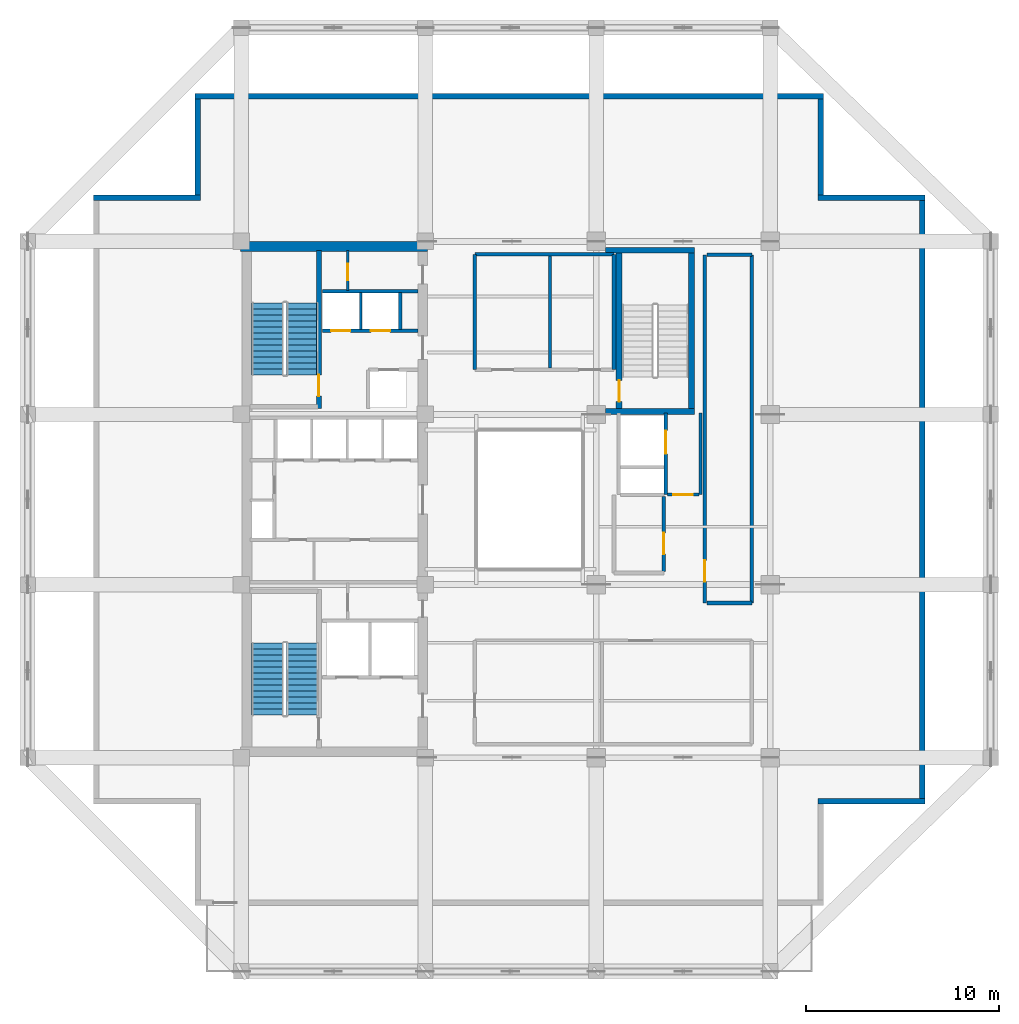
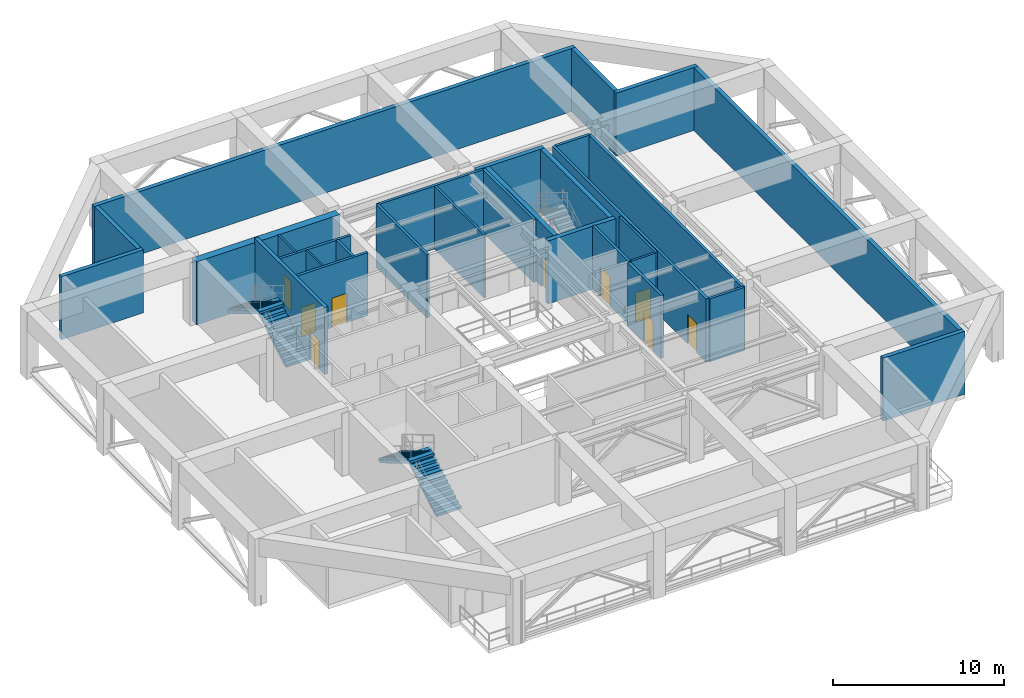
# One storey, part 5 of 10: 30 walls, 9 doors, 4 stair flights, 9 openings, 2 elements without a shape of their own.
"""IFC4 building model written with IfcOpenShell, lengths in metres."""

from ifc_helpers import new_model, si_unit, direction, frame, frame_2d, origin, place, context, subcontext, project, spatial, polyline, rectangle, outline, extrude, material, layer, layer_set, type_object, element, fill, aggregate, save


model = new_model("IFC4")

# Units and contexts
model_context = context("Model", 3, precision=1e-05, world=origin(), true_north=direction((0.0, 1.0)))
body_context = subcontext(model_context, "Body", "Model", "MODEL_VIEW")
ifc_project = project(units=[si_unit("LENGTHUNIT", "METRE"), si_unit("AREAUNIT", "SQUARE_METRE"), si_unit("VOLUMEUNIT", "CUBIC_METRE"), si_unit("PLANEANGLEUNIT", "RADIAN"), si_unit("MASSUNIT", "GRAM", prefix="KILO")], contexts=[model_context])

# Site, building, storey
site_placement = place(None, origin())
site = spatial("IfcSite", under=ifc_project, at=site_placement, CompositionType="ELEMENT")
building_placement = place(site_placement, origin())
building = spatial("IfcBuilding", under=site, at=building_placement, Name="Kundavana Baori Tower", CompositionType="ELEMENT")
storey_placement = place(building_placement, frame((0.0, 0.0, 204.10009765625)))
storey = spatial("IfcBuildingStorey", under=building, at=storey_placement, Name="L50", CompositionType="ELEMENT", Elevation=204.10009765625)

# Wall, opening, door
ifc_material_1 = material(Name="Concrete C50/60", Category="concrete")
ifc_layer_1 = layer(ifc_material_1, 0.39990234375, Name="WL-CORE-400")
ifc_layer_set_1 = layer_set([ifc_layer_1], Name="Concrete C50/60")
wall_type_1 = type_object("IfcWallType", Name="WL-CORE-400", PredefinedType="SHEAR", material=ifc_layer_set_1)
wall_1_placement = place(storey_placement, frame((19.4599609375, 33.300048828125, 0.0), z_axis=(0.0, 0.0, 1.0), x_axis=(0.0, 1.0, 0.0)))
wall_1 = element("IfcWall", 1, at=wall_1_placement, inside=storey, type_object=wall_type_1, Name="WL-L50-ST2-E", PredefinedType="SHEAR", context=body_context, shape_type="SweptSolid", body=[
    extrude(rectangle(XDim=8.179931640625, YDim=0.239990234375, at=frame_2d((4.08984375, 0.0))), origin(), (0.0, 0.0, 1.0), 4.7998046875),
])
opening_1_placement = place(wall_1_placement, frame((0.64990234375, 0.0, 0.0)))
opening_1 = element("IfcOpeningElement", 2, at=opening_1_placement, cuts=wall_1, Name="Opening FD-110", PredefinedType="OPENING", context=body_context, shape_type="SweptSolid", body=[
    extrude(rectangle(XDim=1.10009765625, YDim=2.10009765625, at=frame_2d((0.550048828125, 1.050048828125))), frame((0.0, 0.1298828125, 0.0), z_axis=(0.0, -1.0, 0.0), x_axis=(1.0, 0.0, 0.0)), (0.0, 0.0, 1.0), 0.260009765625),
])
ifc_material_2 = material(Name="Galvanised Steel Fire-Rated Door Leaf", Category="steel")
door_type_1 = type_object("IfcDoorType", Name="DR-FD120-1100", OperationType="NOTDEFINED", PredefinedType="DOOR", material=ifc_material_2)
door_1_placement = place(opening_1_placement, origin())
door_1 = element("IfcDoor", 3, at=door_1_placement, inside=storey, type_object=door_type_1, Name="DR-L50-ST2", OperationType="SINGLE_SWING_RIGHT", OverallHeight=2.10009765625, OverallWidth=1.10009765625, PredefinedType="DOOR", context=body_context, shape_type="SweptSolid", body=[
    extrude(rectangle(XDim=1.10009765625, YDim=2.10009765625, at=frame_2d((0.550048828125, 1.050048828125))), frame((0.0, 0.02490234375, 0.0), z_axis=(0.0, -1.0, 0.0), x_axis=(1.0, 0.0, 0.0)), (0.0, 0.0, 1.0), 0.050048828125),
])
fill(opening_1, door_1)

# Walls
ifc_material_3 = material(Name="Concrete C50/60", Category="concrete")
ifc_layer_2 = layer(ifc_material_3, 0.5, Name="WL-CORE-500")
ifc_layer_set_2 = layer_set([ifc_layer_2], Name="Concrete C50/60")
wall_type_2 = type_object("IfcWallType", Name="WL-CORE-500", PredefinedType="SHEAR", material=ifc_layer_set_2)
wall_2_placement = place(storey_placement, frame((15.39990234375, 41.68994140625, 0.0), z_axis=(0.0, 0.0, 1.0), x_axis=(1.0, 0.0, 0.0)))
element("IfcWall", 4, at=wall_2_placement, inside=storey, type_object=wall_type_2, Name="L50 Offset Core North Shear Wall", PredefinedType="SHEAR", context=body_context, shape_type="SweptSolid", body=[
    extrude(rectangle(XDim=9.68017578125, YDim=0.5, at=frame_2d((4.840087890625, 0.0))), origin(), (0.0, 0.0, 1.0), 4.5),
])
ifc_material_4 = material(Name="Red-Buff Dholpur Sandstone Cladding on Concrete C40/50", Category="masonry")
ifc_layer_3 = layer(ifc_material_4, 0.280029296875, Name="WL-EXT-SAND-280")
ifc_layer_set_3 = layer_set([ifc_layer_3], Name="Red-Buff Dholpur Sandstone Cladding on Concrete C40/50")
wall_type_3 = type_object("IfcWallType", Name="WL-EXT-SAND-280", PredefinedType="STANDARD", material=ifc_layer_set_3)
wall_3_placement = place(storey_placement, frame((45.27001953125, 12.989990234375, 0.0), z_axis=(0.0, 0.0, 1.0), x_axis=(1.0, 0.0, 0.0)))
element("IfcWall", 5, at=wall_3_placement, inside=storey, type_object=wall_type_3, Name="L50 Exterior Insulated Facade Wall 03", PredefinedType="STANDARD", context=body_context, shape_type="SweptSolid", body=[
    extrude(rectangle(XDim=5.530029296875, YDim=0.280029296875, at=frame_2d((2.76513671875, 0.0))), origin(), (0.0, 0.0, 1.0), 4.5),
])
wall_4_placement = place(storey_placement, frame((50.659912109375, 13.1298828125, 0.0), z_axis=(0.0, 0.0, 1.0), x_axis=(0.0, 1.0, 0.0)))
element("IfcWall", 6, at=wall_4_placement, inside=storey, type_object=wall_type_3, Name="L50 Exterior Insulated Facade Wall 04", PredefinedType="STANDARD", context=body_context, shape_type="SweptSolid", body=[
    extrude(rectangle(XDim=30.940185546875, YDim=0.280029296875, at=frame_2d((15.47021484375, 0.0))), origin(), (0.0, 0.0, 1.0), 4.5),
])
wall_5_placement = place(storey_placement, frame((50.800048828125, 44.2099609375, 0.0), z_axis=(0.0, 0.0, 1.0), x_axis=(-1.0, 0.0, 0.0)))
element("IfcWall", 7, at=wall_5_placement, inside=storey, type_object=wall_type_3, Name="L50 Exterior Insulated Facade Wall 05", PredefinedType="STANDARD", context=body_context, shape_type="SweptSolid", body=[
    extrude(rectangle(XDim=5.530029296875, YDim=0.280029296875, at=frame_2d((2.76513671875, 0.0))), origin(), (0.0, 0.0, 1.0), 4.5),
])
wall_6_placement = place(storey_placement, frame((45.409912109375, 44.35009765625, 0.0), z_axis=(0.0, 0.0, 1.0), x_axis=(0.0, 1.0, 0.0)))
element("IfcWall", 8, at=wall_6_placement, inside=storey, type_object=wall_type_3, Name="L50 Exterior Insulated Facade Wall 06", PredefinedType="STANDARD", context=body_context, shape_type="SweptSolid", body=[
    extrude(rectangle(XDim=4.969970703125, YDim=0.280029296875, at=frame_2d((2.48486328125, 0.0))), origin(), (0.0, 0.0, 1.0), 4.5),
])
wall_7_placement = place(storey_placement, frame((45.550048828125, 49.4599609375, 0.0), z_axis=(0.0, 0.0, 1.0), x_axis=(-1.0, 0.0, 0.0)))
element("IfcWall", 9, at=wall_7_placement, inside=storey, type_object=wall_type_3, Name="L50 Exterior Insulated Facade Wall 07", PredefinedType="STANDARD", context=body_context, shape_type="SweptSolid", body=[
    extrude(rectangle(XDim=32.5, YDim=0.280029296875, at=frame_2d((16.25, 0.0))), origin(), (0.0, 0.0, 1.0), 4.5),
])
wall_8_placement = place(storey_placement, frame((13.18994140625, 49.320068359375, 0.0), z_axis=(0.0, 0.0, 1.0), x_axis=(0.0, -1.0, 0.0)))
element("IfcWall", 10, at=wall_8_placement, inside=storey, type_object=wall_type_3, Name="L50 Exterior Insulated Facade Wall 08", PredefinedType="STANDARD", context=body_context, shape_type="SweptSolid", body=[
    extrude(rectangle(XDim=4.969970703125, YDim=0.280029296875, at=frame_2d((2.48486328125, 0.0))), origin(), (0.0, 0.0, 1.0), 4.5),
])
wall_9_placement = place(storey_placement, frame((13.330078125, 44.2099609375, 0.0), z_axis=(0.0, 0.0, 1.0), x_axis=(-1.0, 0.0, 0.0)))
element("IfcWall", 11, at=wall_9_placement, inside=storey, type_object=wall_type_3, Name="L50 Exterior Insulated Facade Wall 09", PredefinedType="STANDARD", context=body_context, shape_type="SweptSolid", body=[
    extrude(rectangle(XDim=5.530029296875, YDim=0.280029296875, at=frame_2d((2.76513671875, 0.0))), origin(), (0.0, 0.0, 1.0), 4.5),
])
ifc_material_5 = material(Name="Acoustic Gypsum Plasterboard on Galvanised Steel Studs", Category="steel")
ifc_layer_4 = layer(ifc_material_5, 0.1201171875, Name="WL-PART-120")
ifc_layer_set_4 = layer_set([ifc_layer_4], Name="Acoustic Gypsum Plasterboard on Galvanised Steel Studs")
wall_type_4 = type_object("IfcWallType", Name="WL-PART-120", PredefinedType="PARTITIONING", material=ifc_layer_set_4)
wall_10_placement = place(storey_placement, frame((21.6201171875, 37.39990234375, 0.0), z_axis=(0.0, 0.0, 1.0), x_axis=(0.0, 1.0, 0.0)))
element("IfcWall", 12, at=wall_10_placement, inside=storey, type_object=wall_type_4, Name="WL-L50-HR-DIV1", PredefinedType="PARTITIONING", context=body_context, shape_type="SweptSolid", body=[
    extrude(rectangle(XDim=1.900146484375, YDim=0.1201171875, at=frame_2d((0.9501953125, 0.0))), origin(), (0.0, 0.0, 1.0), 4.5),
])

# Wall, opening, door
wall_11_placement = place(storey_placement, frame((20.949951171875, 39.39990234375, 0.0), z_axis=(0.0, 0.0, 1.0), x_axis=(0.0, 1.0, 0.0)))
wall_11 = element("IfcWall", 13, at=wall_11_placement, inside=storey, type_object=wall_type_4, Name="WL-L50-CSRV-D2", PredefinedType="PARTITIONING", context=body_context, shape_type="SweptSolid", body=[
    extrude(rectangle(XDim=2.080078125, YDim=0.1201171875, at=frame_2d((1.0400390625, 0.0))), origin(), (0.0, 0.0, 1.0), 4.5),
])
opening_2_placement = place(wall_11_placement, frame((0.550048828125, 0.0, 0.0)))
opening_2 = element("IfcOpeningElement", 14, at=opening_2_placement, cuts=wall_11, Name="Opening FD-085", PredefinedType="OPENING", context=body_context, shape_type="SweptSolid", body=[
    extrude(rectangle(XDim=0.85009765625, YDim=2.06005859375, at=frame_2d((0.425048828125, 1.030029296875))), frame((0.0, 0.070068359375, 0.0), z_axis=(0.0, -1.0, 0.0), x_axis=(1.0, 0.0, 0.0)), (0.0, 0.0, 1.0), 0.14013671875),
])
ifc_material_6 = material(Name="Galvanised Steel Fire-Rated Door Leaf", Category="steel")
door_type_2 = type_object("IfcDoorType", Name="DR-FD60-850", OperationType="NOTDEFINED", PredefinedType="DOOR", material=ifc_material_6)
door_2_placement = place(opening_2_placement, origin())
door_2 = element("IfcDoor", 15, at=door_2_placement, inside=storey, type_object=door_type_2, Name="DR-L50-CSRV1", OperationType="SINGLE_SWING_RIGHT", OverallHeight=2.06005859375, OverallWidth=0.85009765625, PredefinedType="DOOR", context=body_context, shape_type="SweptSolid", body=[
    extrude(rectangle(XDim=0.85009765625, YDim=2.06005859375, at=frame_2d((0.425048828125, 1.030029296875))), frame((0.0, 0.02490234375, 0.0), z_axis=(0.0, -1.0, 0.0), x_axis=(1.0, 0.0, 0.0)), (0.0, 0.0, 1.0), 0.050048828125),
])
fill(opening_2, door_2)

# Wall
ifc_material_7 = material(Name="Fire-Rated Gypsum Drywall on Galvanised Steel Studs", Category="steel")
ifc_layer_5 = layer(ifc_material_7, 0.14990234375, Name="WL-PART-150")
ifc_layer_set_5 = layer_set([ifc_layer_5], Name="Fire-Rated Gypsum Drywall on Galvanised Steel Studs")
wall_type_5 = type_object("IfcWallType", Name="WL-PART-150", PredefinedType="PARTITIONING", material=ifc_layer_set_5)
wall_12_placement = place(storey_placement, frame((39.199951171875, 28.860107421875, 0.0), z_axis=(0.0, 0.0, 1.0), x_axis=(0.0, 1.0, 0.0)))
element("IfcWall", 16, at=wall_12_placement, inside=storey, type_object=wall_type_5, Name="WL-L50-SVLOB-E", PredefinedType="PARTITIONING", context=body_context, shape_type="SweptSolid", body=[
    extrude(rectangle(XDim=4.219970703125, YDim=0.14990234375, at=frame_2d((2.10986328125, 0.0))), origin(), (0.0, 0.0, 1.0), 4.5),
])

# Wall, opening, door
wall_13_placement = place(storey_placement, frame((37.47998046875, 28.860107421875, 0.0), z_axis=(0.0, 0.0, 1.0), x_axis=(1.0, 0.0, 0.0)))
wall_13 = element("IfcWall", 17, at=wall_13_placement, inside=storey, type_object=wall_type_5, Name="WL-L50-SVLOB-S", PredefinedType="PARTITIONING", context=body_context, shape_type="SweptSolid", body=[
    extrude(rectangle(XDim=1.64013671875, YDim=0.14990234375, at=frame_2d((0.820068359375, 0.0))), origin(), (0.0, 0.0, 1.0), 4.5),
])
opening_3_placement = place(wall_13_placement, frame((0.300048828125, 0.0, 0.0)))
opening_3 = element("IfcOpeningElement", 18, at=opening_3_placement, cuts=wall_13, Name="Opening FD-100", PredefinedType="OPENING", context=body_context, shape_type="SweptSolid", body=[
    extrude(rectangle(XDim=1.0, YDim=2.10009765625, at=frame_2d((0.5, 1.050048828125))), frame((0.0, 0.0849609375, 0.0), z_axis=(0.0, -1.0, 0.0), x_axis=(1.0, 0.0, 0.0)), (0.0, 0.0, 1.0), 0.169921875),
])
ifc_material_8 = material(Name="Engineered Teak Fire-Rated Timber Door Leaf", Category="wood")
door_type_3 = type_object("IfcDoorType", Name="DR-FD60-1000", OperationType="NOTDEFINED", PredefinedType="DOOR", material=ifc_material_8)
door_3_placement = place(opening_3_placement, origin())
door_3 = element("IfcDoor", 19, at=door_3_placement, inside=storey, type_object=door_type_3, Name="DR-L50-SVLOB-OUT", OperationType="SINGLE_SWING_LEFT", OverallHeight=2.10009765625, OverallWidth=1.0, PredefinedType="DOOR", context=body_context, shape_type="SweptSolid", body=[
    extrude(rectangle(XDim=1.0, YDim=2.10009765625, at=frame_2d((0.5, 1.050048828125))), frame((0.0, 0.02490234375, 0.0), z_axis=(0.0, -1.0, 0.0), x_axis=(1.0, 0.0, 0.0)), (0.0, 0.0, 1.0), 0.050048828125),
])
fill(opening_3, door_3)

# Wall
wall_14_placement = place(storey_placement, frame((31.39990234375, 35.39990234375, 0.0), z_axis=(0.0, 0.0, 1.0), x_axis=(0.0, 1.0, 0.0)))
element("IfcWall", 20, at=wall_14_placement, inside=storey, type_object=wall_type_5, Name="WL-L50-PLD2", PredefinedType="PARTITIONING", context=body_context, shape_type="SweptSolid", body=[
    extrude(rectangle(XDim=5.800048828125, YDim=0.14990234375, at=frame_2d((2.89990234375, 0.0))), origin(), (0.0, 0.0, 1.0), 4.5),
])

# Wall, opening, door
ifc_material_9 = material(Name="Autoclaved Aerated Concrete Blockwork Masonry", Category="masonry")
ifc_layer_6 = layer(ifc_material_9, 0.18505859375, Name="WL-PART-180")
ifc_layer_set_6 = layer_set([ifc_layer_6], Name="Autoclaved Aerated Concrete Blockwork Masonry")
wall_type_6 = type_object("IfcWallType", Name="WL-PART-180", PredefinedType="SOLIDWALL", material=ifc_layer_set_6)
wall_15_placement = place(storey_placement, frame((39.419921875, 23.25, 0.0), z_axis=(0.0, 0.0, 1.0), x_axis=(0.0, 1.0, 0.0)))
wall_15 = element("IfcWall", 21, at=wall_15_placement, inside=storey, type_object=wall_type_6, Name="WL-L50-RNEW", PredefinedType="SOLIDWALL", context=body_context, shape_type="SweptSolid", body=[
    extrude(rectangle(XDim=18.0, YDim=0.18505859375, at=frame_2d((9.0, 0.0))), origin(), (0.0, 0.0, 1.0), 4.5),
])
opening_4_placement = place(wall_15_placement, frame((1.10009765625, 0.0, 0.0)))
opening_4 = element("IfcOpeningElement", 22, at=opening_4_placement, cuts=wall_15, Name="Opening FD-110", PredefinedType="OPENING", context=body_context, shape_type="SweptSolid", body=[
    extrude(rectangle(XDim=1.10009765625, YDim=2.10009765625, at=frame_2d((0.550048828125, 1.050048828125))), frame((0.0, 0.1025390625, 0.0), z_axis=(0.0, -1.0, 0.0), x_axis=(1.0, 0.0, 0.0)), (0.0, 0.0, 1.0), 0.205078125),
])
door_4_placement = place(opening_4_placement, origin())
door_4 = element("IfcDoor", 23, at=door_4_placement, inside=storey, type_object=door_type_1, Name="DR-L50-REF3", OperationType="SINGLE_SWING_LEFT", OverallHeight=2.10009765625, OverallWidth=1.10009765625, PredefinedType="DOOR", context=body_context, shape_type="SweptSolid", body=[
    extrude(rectangle(XDim=1.10009765625, YDim=2.10009765625, at=frame_2d((0.550048828125, 1.050048828125))), frame((0.0, 0.02490234375, 0.0), z_axis=(0.0, -1.0, 0.0), x_axis=(1.0, 0.0, 0.0)), (0.0, 0.0, 1.0), 0.050048828125),
])
fill(opening_4, door_4)

# Walls
wall_16_placement = place(storey_placement, frame((39.52001953125, 23.25, 0.0), z_axis=(0.0, 0.0, 1.0), x_axis=(1.0, 0.0, 0.0)))
element("IfcWall", 24, at=wall_16_placement, inside=storey, type_object=wall_type_6, Name="WL-L50-RNES", PredefinedType="SOLIDWALL", context=body_context, shape_type="SweptSolid", body=[
    extrude(rectangle(XDim=2.330078125, YDim=0.18505859375, at=frame_2d((1.1650390625, 0.0))), origin(), (0.0, 0.0, 1.0), 4.5),
])
wall_17_placement = place(storey_placement, frame((41.85009765625, 23.25, 0.0), z_axis=(0.0, 0.0, 1.0), x_axis=(0.0, 1.0, 0.0)))
element("IfcWall", 25, at=wall_17_placement, inside=storey, type_object=wall_type_6, Name="WL-L50-RNEE", PredefinedType="SOLIDWALL", context=body_context, shape_type="SweptSolid", body=[
    extrude(rectangle(XDim=18.0, YDim=0.18505859375, at=frame_2d((9.0, 0.0))), origin(), (0.0, 0.0, 1.0), 4.5),
])
wall_18_placement = place(storey_placement, frame((39.52001953125, 41.25, 0.0), z_axis=(0.0, 0.0, 1.0), x_axis=(1.0, 0.0, 0.0)))
element("IfcWall", 26, at=wall_18_placement, inside=storey, type_object=wall_type_6, Name="WL-L50-RNEN", PredefinedType="SOLIDWALL", context=body_context, shape_type="SweptSolid", body=[
    extrude(rectangle(XDim=2.330078125, YDim=0.18505859375, at=frame_2d((1.1650390625, 0.0))), origin(), (0.0, 0.0, 1.0), 4.5),
])

# Wall, opening, door
wall_19_placement = place(storey_placement, frame((37.300048828125, 24.8798828125, 0.0), z_axis=(0.0, 0.0, 1.0), x_axis=(0.0, 1.0, 0.0)))
wall_19 = element("IfcWall", 27, at=wall_19_placement, inside=storey, type_object=wall_type_6, Name="WL-L50-PAHUE", PredefinedType="SOLIDWALL", context=body_context, shape_type="SweptSolid", body=[
    extrude(rectangle(XDim=3.880126953125, YDim=0.18505859375, at=frame_2d((1.93994140625, 0.0))), origin(), (0.0, 0.0, 1.0), 4.5),
])
opening_5_placement = place(wall_19_placement, frame((0.89990234375, 0.0, 0.0)))
opening_5 = element("IfcOpeningElement", 28, at=opening_5_placement, cuts=wall_19, Name="Opening FD-110", PredefinedType="OPENING", context=body_context, shape_type="SweptSolid", body=[
    extrude(rectangle(XDim=1.10009765625, YDim=2.10009765625, at=frame_2d((0.550048828125, 1.050048828125))), frame((0.0, 0.1025390625, 0.0), z_axis=(0.0, -1.0, 0.0), x_axis=(1.0, 0.0, 0.0)), (0.0, 0.0, 1.0), 0.205078125),
])
door_5_placement = place(opening_5_placement, frame((1.10009765625, 0.0, 0.0), z_axis=(0.0, 0.0, 1.0), x_axis=(-1.0, 0.0, 0.0)))
door_5 = element("IfcDoor", 29, at=door_5_placement, inside=storey, type_object=door_type_1, Name="DR-L50-PL1", OperationType="SINGLE_SWING_LEFT", OverallHeight=2.10009765625, OverallWidth=1.10009765625, PredefinedType="DOOR", context=body_context, shape_type="SweptSolid", body=[
    extrude(rectangle(XDim=1.10009765625, YDim=2.10009765625, at=frame_2d((0.550048828125, 1.050048828125))), frame((0.0, 0.02490234375, 0.0), z_axis=(0.0, -1.0, 0.0), x_axis=(1.0, 0.0, 0.0)), (0.0, 0.0, 1.0), 0.050048828125),
])
fill(opening_5, door_5)

# Walls
wall_20_placement = place(storey_placement, frame((27.52001953125, 41.280029296875, 0.0), z_axis=(0.0, 0.0, 1.0), x_axis=(1.0, 0.0, 0.0)))
element("IfcWall", 30, at=wall_20_placement, inside=storey, type_object=wall_type_6, Name="WL-L50-PLNT", PredefinedType="SOLIDWALL", context=body_context, shape_type="SweptSolid", body=[
    extrude(rectangle(XDim=7.199951171875, YDim=0.18505859375, at=frame_2d((3.60009765625, 0.0))), origin(), (0.0, 0.0, 1.0), 4.5),
])
for number, where, z_axis, x_axis, name in (
    (31, (27.52001953125, 35.320068359375, 0.0), (0.0, 0.0, 1.0), (0.0, 1.0, 0.0), "WL-L50-PLNW"),
    (32, (34.719970703125, 35.320068359375, 0.0), (0.0, 0.0, 1.0), (0.0, 1.0, 0.0), "WL-L50-PLNE"),
):
    element("IfcWall", number, at=place(storey_placement, frame(where, z_axis=z_axis, x_axis=x_axis)), inside=storey, type_object=wall_type_6, Name=name, PredefinedType="SOLIDWALL", context=body_context, shape_type="SweptSolid", body=[
        extrude(rectangle(XDim=5.9599609375, YDim=0.18505859375, at=frame_2d((2.97998046875, 0.0))), origin(), (0.0, 0.0, 1.0), 4.5),
    ])

# Wall, openings, doors
ifc_material_10 = material(Name="Autoclaved Aerated Concrete Blockwork Masonry", Category="masonry")
ifc_layer_7 = layer(ifc_material_10, 0.179931640625, Name="WL-SHAFT-180")
ifc_layer_set_7 = layer_set([ifc_layer_7], Name="Autoclaved Aerated Concrete Blockwork Masonry")
wall_type_7 = type_object("IfcWallType", Name="WL-SHAFT-180", PredefinedType="SOLIDWALL", material=ifc_layer_set_7)
wall_21_placement = place(storey_placement, frame((19.639892578125, 37.340087890625, 0.0), z_axis=(0.0, 0.0, 1.0), x_axis=(1.0, 0.0, 0.0)))
wall_21 = element("IfcWall", 33, at=wall_21_placement, inside=storey, type_object=wall_type_7, Name="WL-L50-HRLOB-N", PredefinedType="SOLIDWALL", context=body_context, shape_type="SweptSolid", body=[
    extrude(rectangle(XDim=4.940185546875, YDim=0.179931640625, at=frame_2d((2.47021484375, 0.0))), origin(), (0.0, 0.0, 1.0), 4.5),
])
opening_6_placement = place(wall_21_placement, frame((0.449951171875, 0.0, 0.0)))
opening_6 = element("IfcOpeningElement", 34, at=opening_6_placement, cuts=wall_21, Name="Opening LD-100", PredefinedType="OPENING", context=body_context, shape_type="SweptSolid", body=[
    extrude(rectangle(XDim=1.0, YDim=2.10009765625, at=frame_2d((0.5, 1.050048828125))), frame((0.0, 0.10009765625, 0.0), z_axis=(0.0, -1.0, 0.0), x_axis=(1.0, 0.0, 0.0)), (0.0, 0.0, 1.0), 0.199951171875),
])
opening_7_placement = place(wall_21_placement, frame((2.5, 0.0, 0.0)))
opening_7 = element("IfcOpeningElement", 35, at=opening_7_placement, cuts=wall_21, Name="Opening LD-100", PredefinedType="OPENING", context=body_context, shape_type="SweptSolid", body=[
    extrude(rectangle(XDim=1.0, YDim=2.10009765625, at=frame_2d((0.5, 1.050048828125))), frame((0.0, 0.10009765625, 0.0), z_axis=(0.0, -1.0, 0.0), x_axis=(1.0, 0.0, 0.0)), (0.0, 0.0, 1.0), 0.199951171875),
])
ifc_material_11 = material(Name="Galvanised Steel Fire-Rated Door Leaf", Category="steel")
door_type_4 = type_object("IfcDoorType", Name="DR-SLIDE-LD1000", OperationType="NOTDEFINED", PredefinedType="DOOR", material=ifc_material_11)
door_6_placement = place(opening_6_placement, frame((1.0, 0.0, 0.0), z_axis=(0.0, 0.0, 1.0), x_axis=(-1.0, 0.0, 0.0)))
door_6 = element("IfcDoor", 36, at=door_6_placement, inside=storey, type_object=door_type_4, Name="DR-L50-LD-LP09", OperationType="DOUBLE_DOOR_SLIDING", OverallHeight=2.10009765625, OverallWidth=1.0, PredefinedType="DOOR", context=body_context, shape_type="SweptSolid", body=[
    extrude(rectangle(XDim=1.0, YDim=2.10009765625, at=frame_2d((0.5, 1.050048828125))), frame((0.0, 0.02490234375, 0.0), z_axis=(0.0, -1.0, 0.0), x_axis=(1.0, 0.0, 0.0)), (0.0, 0.0, 1.0), 0.050048828125),
])
fill(opening_6, door_6)
door_7_placement = place(opening_7_placement, frame((1.0, 0.0, 0.0), z_axis=(0.0, 0.0, 1.0), x_axis=(-1.0, 0.0, 0.0)))
door_7 = element("IfcDoor", 37, at=door_7_placement, inside=storey, type_object=door_type_4, Name="DR-L50-LD-LP10", OperationType="DOUBLE_DOOR_SLIDING", OverallHeight=2.10009765625, OverallWidth=1.0, PredefinedType="DOOR", context=body_context, shape_type="SweptSolid", body=[
    extrude(rectangle(XDim=1.0, YDim=2.10009765625, at=frame_2d((0.5, 1.050048828125))), frame((0.0, 0.02490234375, 0.0), z_axis=(0.0, -1.0, 0.0), x_axis=(1.0, 0.0, 0.0)), (0.0, 0.0, 1.0), 0.050048828125),
])
fill(opening_7, door_7)

# Walls
wall_22_placement = place(storey_placement, frame((19.639892578125, 39.360107421875, 0.0), z_axis=(0.0, 0.0, 1.0), x_axis=(1.0, 0.0, 0.0)))
element("IfcWall", 38, at=wall_22_placement, inside=storey, type_object=wall_type_7, Name="WL-L50-HRLOB-TOP", PredefinedType="SOLIDWALL", context=body_context, shape_type="SweptSolid", body=[
    extrude(rectangle(XDim=4.940185546875, YDim=0.179931640625, at=frame_2d((2.47021484375, 0.0))), origin(), (0.0, 0.0, 1.0), 4.5),
])
wall_23_placement = place(storey_placement, frame((23.659912109375, 37.39990234375, 0.0), z_axis=(0.0, 0.0, 1.0), x_axis=(0.0, 1.0, 0.0)))
element("IfcWall", 39, at=wall_23_placement, inside=storey, type_object=wall_type_7, Name="WL-L50-HR-DIV2", PredefinedType="SOLIDWALL", context=body_context, shape_type="SweptSolid", body=[
    extrude(rectangle(XDim=1.900146484375, YDim=0.179931640625, at=frame_2d((0.9501953125, 0.0))), origin(), (0.0, 0.0, 1.0), 4.5),
])

# Wall, opening, door
wall_24_placement = place(storey_placement, frame((37.389892578125, 28.860107421875, 0.0), z_axis=(0.0, 0.0, 1.0), x_axis=(0.0, 1.0, 0.0)))
wall_24 = element("IfcWall", 40, at=wall_24_placement, inside=storey, type_object=wall_type_7, Name="WL-L50-SVL-E", PredefinedType="SOLIDWALL", context=body_context, shape_type="SweptSolid", body=[
    extrude(rectangle(XDim=4.219970703125, YDim=0.179931640625, at=frame_2d((2.10986328125, 0.0))), origin(), (0.0, 0.0, 1.0), 4.5),
])
opening_8_placement = place(wall_24_placement, frame((2.10009765625, 0.0, 0.0)))
opening_8 = element("IfcOpeningElement", 41, at=opening_8_placement, cuts=wall_24, Name="Opening LD-120", PredefinedType="OPENING", context=body_context, shape_type="SweptSolid", body=[
    extrude(rectangle(XDim=1.199951171875, YDim=2.1201171875, at=frame_2d((0.60009765625, 1.06005859375))), frame((0.0, 0.10009765625, 0.0), z_axis=(0.0, -1.0, 0.0), x_axis=(1.0, 0.0, 0.0)), (0.0, 0.0, 1.0), 0.199951171875),
])
ifc_material_12 = material(Name="Galvanised Steel Fire-Rated Door Leaf", Category="steel")
door_type_5 = type_object("IfcDoorType", Name="DR-SLIDE-LD1200", OperationType="NOTDEFINED", PredefinedType="DOOR", material=ifc_material_12)
door_8_placement = place(opening_8_placement, frame((1.199951171875, 0.0, 0.0), z_axis=(0.0, 0.0, 1.0), x_axis=(-1.0, 0.0, 0.0)))
door_8 = element("IfcDoor", 42, at=door_8_placement, inside=storey, type_object=door_type_5, Name="DR-L50-LD-SVL1", OperationType="DOUBLE_DOOR_SLIDING", OverallHeight=2.1201171875, OverallWidth=1.199951171875, PredefinedType="DOOR", context=body_context, shape_type="SweptSolid", body=[
    extrude(rectangle(XDim=1.199951171875, YDim=2.1201171875, at=frame_2d((0.60009765625, 1.06005859375))), frame((0.0, 0.02490234375, 0.0), z_axis=(0.0, -1.0, 0.0), x_axis=(1.0, 0.0, 0.0)), (0.0, 0.0, 1.0), 0.050048828125),
])
fill(opening_8, door_8)

# Walls
ifc_material_13 = material(Name="Concrete C50/60", Category="concrete")
ifc_layer_8 = layer(ifc_material_13, 0.300048828125, Name="WL-ST3-300")
ifc_layer_set_8 = layer_set([ifc_layer_8], Name="Concrete C50/60")
wall_type_8 = type_object("IfcWallType", Name="WL-ST3-300", PredefinedType="SHEAR", material=ifc_layer_set_8)
for number, where, z_axis, x_axis, name in (
    (43, (34.27490234375, 33.159912109375, 0.0), (0.0, 0.0, 1.0), (1.0, 0.0, 0.0), "L50 Stair ST3 South Shear Wall"),
    (44, (34.27490234375, 41.489990234375, 0.0), (0.0, 0.0, 1.0), (1.0, 0.0, 0.0), "L50 Stair ST3 North Shear Wall"),
):
    element("IfcWall", number, at=place(storey_placement, frame(where, z_axis=z_axis, x_axis=x_axis)), inside=storey, type_object=wall_type_8, Name=name, PredefinedType="SHEAR", context=body_context, shape_type="SweptSolid", body=[
        extrude(rectangle(XDim=4.59521484375, YDim=0.300048828125, at=frame_2d((2.297607421875, 0.0))), origin(), (0.0, 0.0, 1.0), 4.5),
    ])

# Wall, opening, door
wall_25_placement = place(storey_placement, frame((34.97998046875, 33.31005859375, 0.0), z_axis=(0.0, 0.0, 1.0), x_axis=(0.0, 1.0, 0.0)))
wall_25 = element("IfcWall", 45, at=wall_25_placement, inside=storey, type_object=wall_type_8, Name="L50 Stair ST3 West Shear Wall", PredefinedType="SHEAR", context=body_context, shape_type="SweptSolid", body=[
    extrude(rectangle(XDim=8.030029296875, YDim=0.300048828125, at=frame_2d((4.01513671875, 0.0))), origin(), (0.0, 0.0, 1.0), 4.5),
])
opening_9_placement = place(wall_25_placement, frame((0.35009765625, 0.0, 0.0)))
opening_9 = element("IfcOpeningElement", 46, at=opening_9_placement, cuts=wall_25, Name="Opening FD-110", PredefinedType="OPENING", context=body_context, shape_type="SweptSolid", body=[
    extrude(rectangle(XDim=1.10009765625, YDim=2.10009765625, at=frame_2d((0.550048828125, 1.050048828125))), frame((0.0, 0.16015625, 0.0), z_axis=(0.0, -1.0, 0.0), x_axis=(1.0, 0.0, 0.0)), (0.0, 0.0, 1.0), 0.320068359375),
])
door_9_placement = place(opening_9_placement, origin())
door_9 = element("IfcDoor", 47, at=door_9_placement, inside=storey, type_object=door_type_1, Name="DR-L50-ST3-W", OperationType="SINGLE_SWING_LEFT", OverallHeight=2.10009765625, OverallWidth=1.10009765625, PredefinedType="DOOR", context=body_context, shape_type="SweptSolid", body=[
    extrude(rectangle(XDim=1.10009765625, YDim=2.10009765625, at=frame_2d((0.550048828125, 1.050048828125))), frame((0.0, 0.02490234375, 0.0), z_axis=(0.0, -1.0, 0.0), x_axis=(1.0, 0.0, 0.0)), (0.0, 0.0, 1.0), 0.050048828125),
])
fill(opening_9, door_9)

# Wall
wall_26_placement = place(storey_placement, frame((38.719970703125, 33.31005859375, 0.0), z_axis=(0.0, 0.0, 1.0), x_axis=(0.0, 1.0, 0.0)))
element("IfcWall", 48, at=wall_26_placement, inside=storey, type_object=wall_type_8, Name="L50 Stair ST3 East Shear Wall", PredefinedType="SHEAR", context=body_context, shape_type="SweptSolid", body=[
    extrude(rectangle(XDim=8.030029296875, YDim=0.300048828125, at=frame_2d((4.01513671875, 0.0))), origin(), (0.0, 0.0, 1.0), 4.5),
])

# Stair, stair flights
ifc_material_14 = material(Name="Concrete C40/50", Category="concrete")
stair_type = type_object("IfcStairType", Name="STR-DOG-1650", PredefinedType="HALF_TURN_STAIR", material=ifc_material_14)
stair_1_placement = place(storey_placement, origin())
stair_1 = element("IfcStair", 49, at=stair_1_placement, inside=storey, type_object=stair_type, Name="L50 Protected Exit Stair ST1", PredefinedType="HALF_TURN_STAIR")
ifc_material_15 = material(Name="Concrete C40/50", Category="concrete")
stair_flight_type = type_object("IfcStairFlightType", Name="SFL-RC-1650", PredefinedType="STRAIGHT", material=ifc_material_15)
stair_flight_1_placement = place(storey_placement, frame((18.614990234375, 17.449951171875, 0.0), z_axis=(0.0, 0.0, 1.0), x_axis=(0.0, 1.0, 0.0)))
stair_flight_1 = element("IfcStairFlight", 50, at=stair_flight_1_placement, type_object=stair_flight_type, Name="ST1 flight 1", NumberOfRisers=13, NumberOfTreads=12, PredefinedType="STRAIGHT", RiserHeight=0.184615385, TreadLength=0.31, context=body_context, shape_type="SweptSolid", body=[
    extrude(outline(polyline([(0.0, 0.0), (0.0, 0.1845703125), (0.31005859375, 0.1845703125), (0.31005859375, 0.369140625), (0.6201171875, 0.369140625), (0.6201171875, 0.553955078125), (0.929931640625, 0.553955078125), (0.929931640625, 0.738525390625), (1.239990234375, 0.738525390625), (1.239990234375, 0.923095703125), (1.550048828125, 0.923095703125), (1.550048828125, 1.107666015625), (1.860107421875, 1.107666015625), (1.860107421875, 1.292236328125), (2.169921875, 1.292236328125), (2.169921875, 1.476806640625), (2.47998046875, 1.476806640625), (2.47998046875, 1.66162109375), (2.7900390625, 1.66162109375), (2.7900390625, 1.84619140625), (3.10009765625, 1.84619140625), (3.10009765625, 2.03076171875), (3.409912109375, 2.03076171875), (3.409912109375, 2.21533203125), (3.719970703125, 2.21533203125), (3.719970703125, 2.39990234375), (3.719970703125, 2.041015625), (0.29296875, 0.0), (0.0, 0.0)])), frame((0.0, 0.824951171875, 0.0), z_axis=(0.0, -1.0, 0.0), x_axis=(1.0, 0.0, 0.0)), (0.0, 0.0, 1.0), 1.64990234375),
])
stair_flight_2_placement = place(storey_placement, frame((16.804931640625, 21.169921875, 2.39990234375), z_axis=(0.0, 0.0, 1.0), x_axis=(0.0, -1.0, 0.0)))
stair_flight_2 = element("IfcStairFlight", 51, at=stair_flight_2_placement, type_object=stair_flight_type, Name="ST1 flight 2", NumberOfRisers=13, NumberOfTreads=12, PredefinedType="STRAIGHT", RiserHeight=0.184615385, TreadLength=0.31, context=body_context, shape_type="SweptSolid", body=[
    extrude(outline(polyline([(0.0, 0.0), (0.0, 0.1845703125), (0.31005859375, 0.1845703125), (0.31005859375, 0.369140625), (0.6201171875, 0.369140625), (0.6201171875, 0.553955078125), (0.929931640625, 0.553955078125), (0.929931640625, 0.738525390625), (1.239990234375, 0.738525390625), (1.239990234375, 0.923095703125), (1.550048828125, 0.923095703125), (1.550048828125, 1.107666015625), (1.860107421875, 1.107666015625), (1.860107421875, 1.292236328125), (2.169921875, 1.292236328125), (2.169921875, 1.476806640625), (2.47998046875, 1.476806640625), (2.47998046875, 1.66162109375), (2.7900390625, 1.66162109375), (2.7900390625, 1.84619140625), (3.10009765625, 1.84619140625), (3.10009765625, 2.03076171875), (3.409912109375, 2.03076171875), (3.409912109375, 2.21533203125), (3.719970703125, 2.21533203125), (3.719970703125, 2.39990234375), (3.719970703125, 2.041015625), (0.29296875, 0.0), (0.0, 0.0)])), frame((0.0, 0.824951171875, 0.0), z_axis=(0.0, -1.0, 0.0), x_axis=(1.0, 0.0, 0.0)), (0.0, 0.0, 1.0), 1.64990234375),
])
aggregate(stair_1, [stair_flight_1, stair_flight_2])

stair_2_placement = place(storey_placement, origin())
stair_2 = element("IfcStair", 52, at=stair_2_placement, inside=storey, type_object=stair_type, Name="L50 Protected Exit Stair ST2", PredefinedType="HALF_TURN_STAIR")
stair_flight_3_placement = place(storey_placement, frame((18.614990234375, 35.050048828125, 0.0), z_axis=(0.0, 0.0, 1.0), x_axis=(0.0, 1.0, 0.0)))
stair_flight_3 = element("IfcStairFlight", 53, at=stair_flight_3_placement, type_object=stair_flight_type, Name="ST2 flight 1", NumberOfRisers=13, NumberOfTreads=12, PredefinedType="STRAIGHT", RiserHeight=0.184615385, TreadLength=0.31, context=body_context, shape_type="SweptSolid", body=[
    extrude(outline(polyline([(0.0, 0.0), (0.0, 0.1845703125), (0.31005859375, 0.1845703125), (0.31005859375, 0.369140625), (0.6201171875, 0.369140625), (0.6201171875, 0.553955078125), (0.929931640625, 0.553955078125), (0.929931640625, 0.738525390625), (1.239990234375, 0.738525390625), (1.239990234375, 0.923095703125), (1.550048828125, 0.923095703125), (1.550048828125, 1.107666015625), (1.860107421875, 1.107666015625), (1.860107421875, 1.292236328125), (2.169921875, 1.292236328125), (2.169921875, 1.476806640625), (2.47998046875, 1.476806640625), (2.47998046875, 1.66162109375), (2.7900390625, 1.66162109375), (2.7900390625, 1.84619140625), (3.10009765625, 1.84619140625), (3.10009765625, 2.03076171875), (3.409912109375, 2.03076171875), (3.409912109375, 2.21533203125), (3.719970703125, 2.21533203125), (3.719970703125, 2.39990234375), (3.719970703125, 2.041015625), (0.29296875, 0.0), (0.0, 0.0)])), frame((0.0, 0.824951171875, 0.0), z_axis=(0.0, -1.0, 0.0), x_axis=(1.0, 0.0, 0.0)), (0.0, 0.0, 1.0), 1.64990234375),
])
stair_flight_4_placement = place(storey_placement, frame((16.804931640625, 38.77001953125, 2.39990234375), z_axis=(0.0, 0.0, 1.0), x_axis=(0.0, -1.0, 0.0)))
stair_flight_4 = element("IfcStairFlight", 54, at=stair_flight_4_placement, type_object=stair_flight_type, Name="ST2 flight 2", NumberOfRisers=13, NumberOfTreads=12, PredefinedType="STRAIGHT", RiserHeight=0.184615385, TreadLength=0.31, context=body_context, shape_type="SweptSolid", body=[
    extrude(outline(polyline([(0.0, 0.0), (0.0, 0.1845703125), (0.31005859375, 0.1845703125), (0.31005859375, 0.369140625), (0.6201171875, 0.369140625), (0.6201171875, 0.553955078125), (0.929931640625, 0.553955078125), (0.929931640625, 0.738525390625), (1.239990234375, 0.738525390625), (1.239990234375, 0.923095703125), (1.550048828125, 0.923095703125), (1.550048828125, 1.107666015625), (1.860107421875, 1.107666015625), (1.860107421875, 1.292236328125), (2.169921875, 1.292236328125), (2.169921875, 1.476806640625), (2.47998046875, 1.476806640625), (2.47998046875, 1.66162109375), (2.7900390625, 1.66162109375), (2.7900390625, 1.84619140625), (3.10009765625, 1.84619140625), (3.10009765625, 2.03076171875), (3.409912109375, 2.03076171875), (3.409912109375, 2.21533203125), (3.719970703125, 2.21533203125), (3.719970703125, 2.39990234375), (3.719970703125, 2.041015625), (0.29296875, 0.0), (0.0, 0.0)])), frame((0.0, 0.824951171875, 0.0), z_axis=(0.0, -1.0, 0.0), x_axis=(1.0, 0.0, 0.0)), (0.0, 0.0, 1.0), 1.64990234375),
])
aggregate(stair_2, [stair_flight_3, stair_flight_4])

save(model, "model.ifc")
